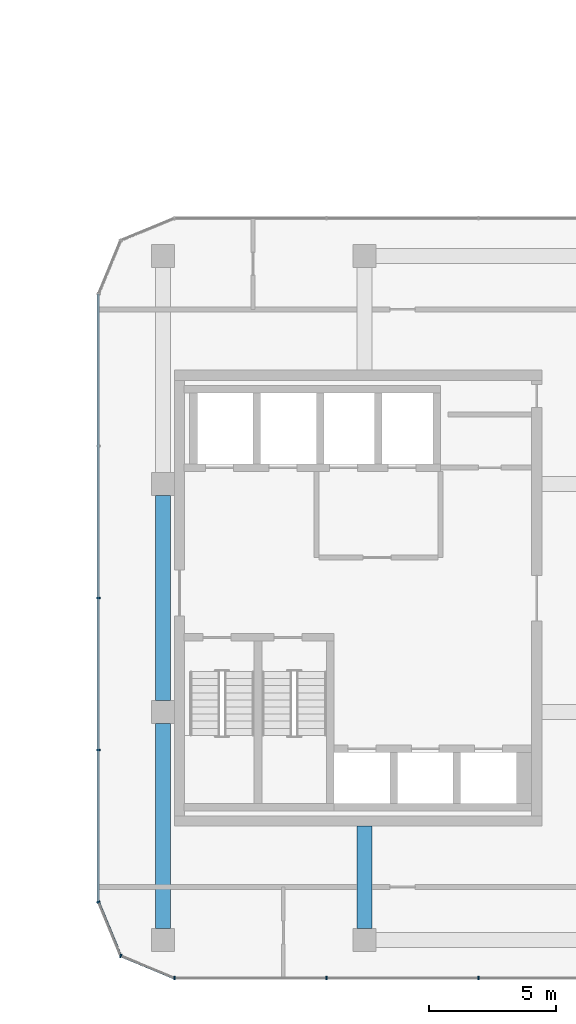
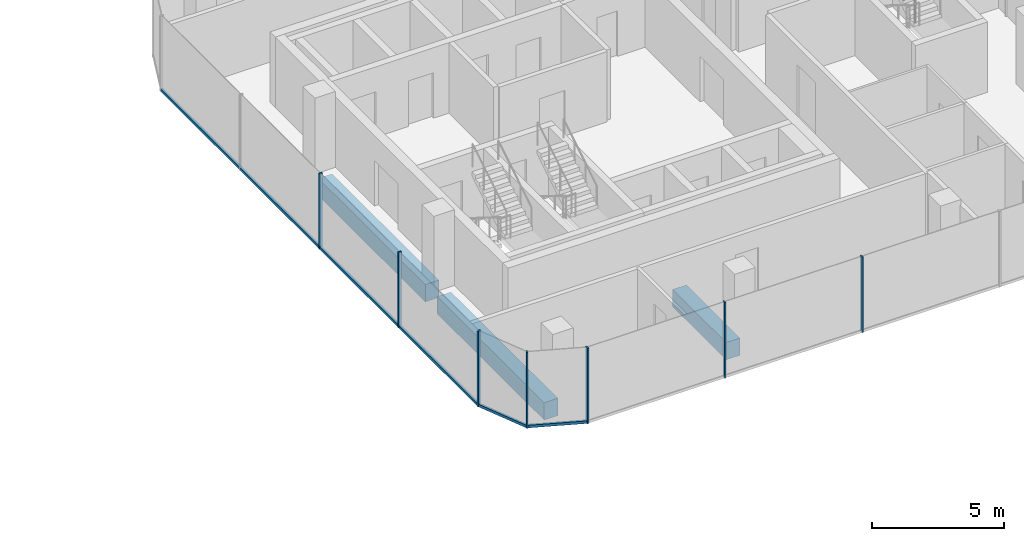
# One storey, part 7 of 23: 10 members, 3 beams, 4 elements without a shape of their own.
"""IFC4 building model written with IfcOpenShell, lengths in metres."""

from ifc_helpers import new_model, si_unit, direction, frame, origin, origin_2d, place, context, subcontext, project, spatial, rectangle, extrude, material, layer, layer_set, material_profile, profile_set, type_object, element, aggregate, save


model = new_model("IFC4")

# Units and contexts
model_context = context("Model", 3, precision=1e-05, world=origin(), true_north=direction((0.0, 1.0)))
body_context = subcontext(model_context, "Body", "Model", "MODEL_VIEW")
ifc_project = project(units=[si_unit("LENGTHUNIT", "METRE"), si_unit("AREAUNIT", "SQUARE_METRE"), si_unit("VOLUMEUNIT", "CUBIC_METRE"), si_unit("PLANEANGLEUNIT", "RADIAN"), si_unit("MASSUNIT", "GRAM", prefix="KILO")], contexts=[model_context])

# Site, building, storey
site_placement = place(None, origin())
site = spatial("IfcSite", under=ifc_project, at=site_placement, CompositionType="ELEMENT")
building_placement = place(site_placement, origin())
building = spatial("IfcBuilding", under=site, at=building_placement, Name="Plateau Cross Towers", CompositionType="ELEMENT")
storey_placement = place(building_placement, frame((0.0, 0.0, 95.800048828125)))
storey = spatial("IfcBuildingStorey", under=building, at=storey_placement, Name="L24", CompositionType="ELEMENT", Elevation=95.800048828125)

# Beam
ifc_material_1 = material(Name="Concrete C60/75", Category="concrete")
ifc_material_profile_1 = material_profile(ifc_material_1, rectangle(XDim=0.60009765625, YDim=0.800048828125, at=origin_2d()), Name="RC 600x800")
ifc_profile_set_1 = profile_set([ifc_material_profile_1], Name="Concrete C60/75")
beam_type_1 = type_object("IfcBeamType", Name="Core beam RC 600x800", PredefinedType="BEAM", material=ifc_profile_set_1)
beam_placement = place(storey_placement, frame((82.5, 0.0, -0.650146484375), z_axis=(0.0, -1.0, 0.0), x_axis=(1.0, 0.0, 0.0)))
element("IfcBeam", 1, at=beam_placement, inside=storey, type_object=beam_type_1, Name="B-CB01@L24", PredefinedType="BEAM", context=body_context, shape_type="SweptSolid", body=[
    extrude(rectangle(XDim=0.60009765625, YDim=0.800048828125, at=origin_2d()), origin(), (0.0, 0.0, 1.0), 4.050048828125),
])

# Curtain wall, members
ifc_material_2 = material(Name="Dark low-iron glass", Category="glass")
ifc_layer = layer(ifc_material_2, 0.239990234375)
ifc_layer_set = layer_set([ifc_layer], Name="Dark low-iron glass")
curtain_wall_type = type_object("IfcCurtainWallType", Name="Curtain wall office unitised CW-F", PredefinedType="NOTDEFINED", material=ifc_layer_set)
curtain_wall_1_placement = place(storey_placement, origin())
curtain_wall_1 = element("IfcCurtainWall", 2, at=curtain_wall_1_placement, inside=storey, type_object=curtain_wall_type, Name="ENV/B/L24/B750_-60", PredefinedType="NOTDEFINED")
ifc_material_3 = material(Name="Black anodised aluminium", Category="aluminium")
ifc_material_profile_2 = material_profile(ifc_material_3, rectangle(XDim=0.06005859375, YDim=0.139892578125, at=origin_2d()), Name="MULLION 60x140")
ifc_profile_set_2 = profile_set([ifc_material_profile_2], Name="Black anodised aluminium")
member_type_1 = type_object("IfcMemberType", Name="Mullion 60x140 office unitised", PredefinedType="MULLION", material=ifc_profile_set_2)
member_1_placement = place(storey_placement, frame((75.0, -6.0, -0.25), z_axis=(0.0, 0.0, 1.0), x_axis=(1.0, 0.0, 0.0)))
member_1 = element("IfcMember", 3, at=member_1_placement, type_object=member_type_1, Name="CW-F mullion 1", PredefinedType="MULLION", context=body_context, shape_type="SweptSolid", body=[
    extrude(rectangle(XDim=0.06005859375, YDim=0.139892578125, at=origin_2d()), origin(), (0.0, 0.0, 1.0), 3.5),
])
member_2_placement = place(storey_placement, frame((81.0, -6.0, -0.25), z_axis=(0.0, 0.0, 1.0), x_axis=(1.0, 0.0, 0.0)))
member_2 = element("IfcMember", 4, at=member_2_placement, type_object=member_type_1, Name="CW-F mullion 2", PredefinedType="MULLION", context=body_context, shape_type="SweptSolid", body=[
    extrude(rectangle(XDim=0.06005859375, YDim=0.139892578125, at=origin_2d()), origin(), (0.0, 0.0, 1.0), 3.5),
])
member_3_placement = place(storey_placement, frame((87.0, -6.0, -0.25), z_axis=(0.0, 0.0, 1.0), x_axis=(1.0, 0.0, 0.0)))
member_3 = element("IfcMember", 5, at=member_3_placement, type_object=member_type_1, Name="CW-F mullion 3", PredefinedType="MULLION", context=body_context, shape_type="SweptSolid", body=[
    extrude(rectangle(XDim=0.06005859375, YDim=0.139892578125, at=origin_2d()), origin(), (0.0, 0.0, 1.0), 3.5),
])
aggregate(curtain_wall_1, [member_1, member_2, member_3])

curtain_wall_2_placement = place(storey_placement, origin())
curtain_wall_2 = element("IfcCurtainWall", 6, at=curtain_wall_2_placement, inside=storey, type_object=curtain_wall_type, Name="ENV/B/L24/B720_210", PredefinedType="NOTDEFINED")
member_4_placement = place(storey_placement, frame((72.0, 9.0, -0.25), z_axis=(0.0, 0.0, 1.0), x_axis=(0.0, -1.0, 0.0)))
member_4 = element("IfcMember", 7, at=member_4_placement, type_object=member_type_1, Name="CW-F mullion 3", PredefinedType="MULLION", context=body_context, shape_type="SweptSolid", body=[
    extrude(rectangle(XDim=0.06005859375, YDim=0.139892578125, at=origin_2d()), origin(), (0.0, 0.0, 1.0), 3.5),
])
member_5_placement = place(storey_placement, frame((72.0, 3.0, -0.25), z_axis=(0.0, 0.0, 1.0), x_axis=(0.0, -1.0, 0.0)))
member_5 = element("IfcMember", 8, at=member_5_placement, type_object=member_type_1, Name="CW-F mullion 4", PredefinedType="MULLION", context=body_context, shape_type="SweptSolid", body=[
    extrude(rectangle(XDim=0.06005859375, YDim=0.139892578125, at=origin_2d()), origin(), (0.0, 0.0, 1.0), 3.5),
])

# Curtain wall, member
curtain_wall_3_placement = place(storey_placement, origin())
curtain_wall_3 = element("IfcCurtainWall", 9, at=curtain_wall_3_placement, inside=storey, type_object=curtain_wall_type, Name="ENV/B/L24/B720_-30", PredefinedType="NOTDEFINED")
member_6_placement = place(storey_placement, frame((72.0, -3.0, -0.25), z_axis=(0.0, 0.0, 1.0), x_axis=(0.382683612978, -0.923879457699, 0.0)))
member_6 = element("IfcMember", 10, at=member_6_placement, type_object=member_type_1, Name="CW-F mullion 1", PredefinedType="MULLION", context=body_context, shape_type="SweptSolid", body=[
    extrude(rectangle(XDim=0.06005859375, YDim=0.139892578125, at=origin_2d()), origin(), (0.0, 0.0, 1.0), 3.5),
])

curtain_wall_4_placement = place(storey_placement, origin())
curtain_wall_4 = element("IfcCurtainWall", 11, at=curtain_wall_4_placement, inside=storey, type_object=curtain_wall_type, Name="ENV/B/L24/B729_-51", PredefinedType="NOTDEFINED")
member_7_placement = place(storey_placement, frame((72.878662109375, -5.121337890625, -0.25), z_axis=(0.0, 0.0, 1.0), x_axis=(0.923879457699, -0.382683612978, 0.0)))
member_7 = element("IfcMember", 12, at=member_7_placement, type_object=member_type_1, Name="CW-F mullion 1", PredefinedType="MULLION", context=body_context, shape_type="SweptSolid", body=[
    extrude(rectangle(XDim=0.06005859375, YDim=0.139892578125, at=origin_2d()), origin(), (0.0, 0.0, 1.0), 3.5),
])

# Beams
ifc_material_profile_3 = material_profile(ifc_material_1, rectangle(XDim=0.60009765625, YDim=0.800048828125, at=origin_2d()), Name="RC 600x800")
ifc_profile_set_3 = profile_set([ifc_material_profile_3], Name="Concrete C60/75")
beam_type_2 = type_object("IfcBeamType", Name="Ring beam RC 600x800", PredefinedType="BEAM", material=ifc_profile_set_3)
for number, where, z_axis, x_axis, name in (
    (13, (74.550048828125, 13.050048828125, -0.650146484375), (0.0, -1.0, 0.0), (1.0, 0.0, 0.0), "B-RB09@L24"),
    (14, (74.550048828125, 4.050048828125, -0.650146484375), (0.0, -1.0, 0.0), (1.0, 0.0, 0.0), "B-RB10@L24"),
):
    element("IfcBeam", number, at=place(storey_placement, frame(where, z_axis=z_axis, x_axis=x_axis)), inside=storey, type_object=beam_type_2, Name=name, PredefinedType="BEAM", context=body_context, shape_type="SweptSolid", body=[
        extrude(rectangle(XDim=0.60009765625, YDim=0.800048828125, at=origin_2d()), origin(), (0.0, 0.0, 1.0), 8.10009765625),
    ])

# Member
ifc_material_profile_4 = material_profile(ifc_material_3, rectangle(XDim=0.10009765625, YDim=0.1201171875, at=origin_2d()), Name="TRANSOM 100x120")
ifc_profile_set_4 = profile_set([ifc_material_profile_4], Name="Black anodised aluminium")
member_type_2 = type_object("IfcMemberType", Name="Transom 100x120 office unitised", PredefinedType="USERDEFINED", material=ifc_profile_set_4)
member_8_placement = place(storey_placement, frame((72.0, 21.0, -0.18994140625), z_axis=(0.0, -1.0, 0.0), x_axis=(1.0, 0.0, 0.0)))
member_8 = element("IfcMember", 15, at=member_8_placement, type_object=member_type_2, Name="CW-F transom", ObjectType="TRANSOM", PredefinedType="USERDEFINED", context=body_context, shape_type="SweptSolid", body=[
    extrude(rectangle(XDim=0.10009765625, YDim=0.1201171875, at=origin_2d()), origin(), (0.0, 0.0, 1.0), 24.0),
])

aggregate(curtain_wall_2, [member_4, member_5, member_8])

member_9_placement = place(storey_placement, frame((72.0, -3.0, -0.18994140625), z_axis=(0.382674207535, -0.923883353507, 0.0), x_axis=(0.923883353507, 0.382674207535, 0.0)))
member_9 = element("IfcMember", 16, at=member_9_placement, type_object=member_type_2, Name="CW-F transom", ObjectType="TRANSOM", PredefinedType="USERDEFINED", context=body_context, shape_type="SweptSolid", body=[
    extrude(rectangle(XDim=0.10009765625, YDim=0.1201171875, at=origin_2d()), origin(), (0.0, 0.0, 1.0), 2.296142578125),
])

aggregate(curtain_wall_3, [member_6, member_9])

member_10_placement = place(storey_placement, frame((72.878662109375, -5.121337890625, -0.18994140625), z_axis=(0.923883353507, -0.382674207535, 0.0), x_axis=(0.382674207535, 0.923883353507, 0.0)))
member_10 = element("IfcMember", 17, at=member_10_placement, type_object=member_type_2, Name="CW-F transom", ObjectType="TRANSOM", PredefinedType="USERDEFINED", context=body_context, shape_type="SweptSolid", body=[
    extrude(rectangle(XDim=0.10009765625, YDim=0.1201171875, at=origin_2d()), origin(), (0.0, 0.0, 1.0), 2.296142578125),
])

aggregate(curtain_wall_4, [member_7, member_10])

save(model, "model.ifc")
